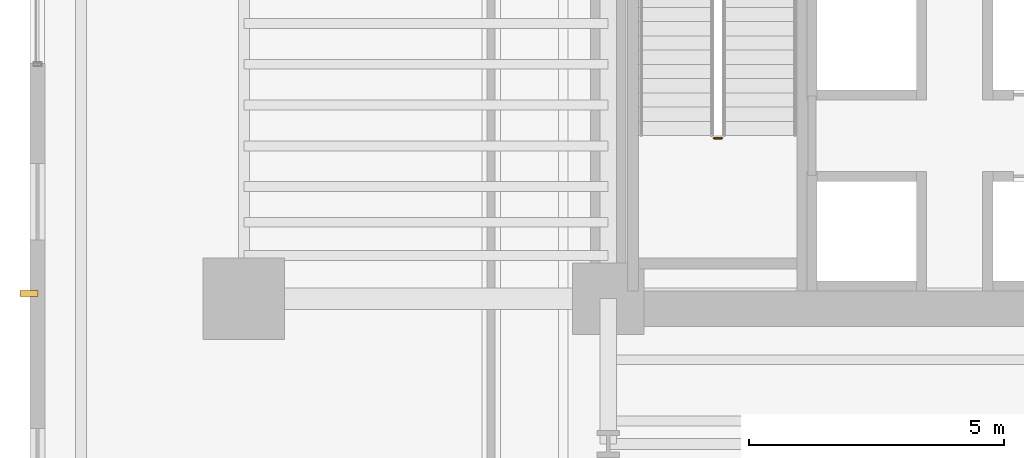
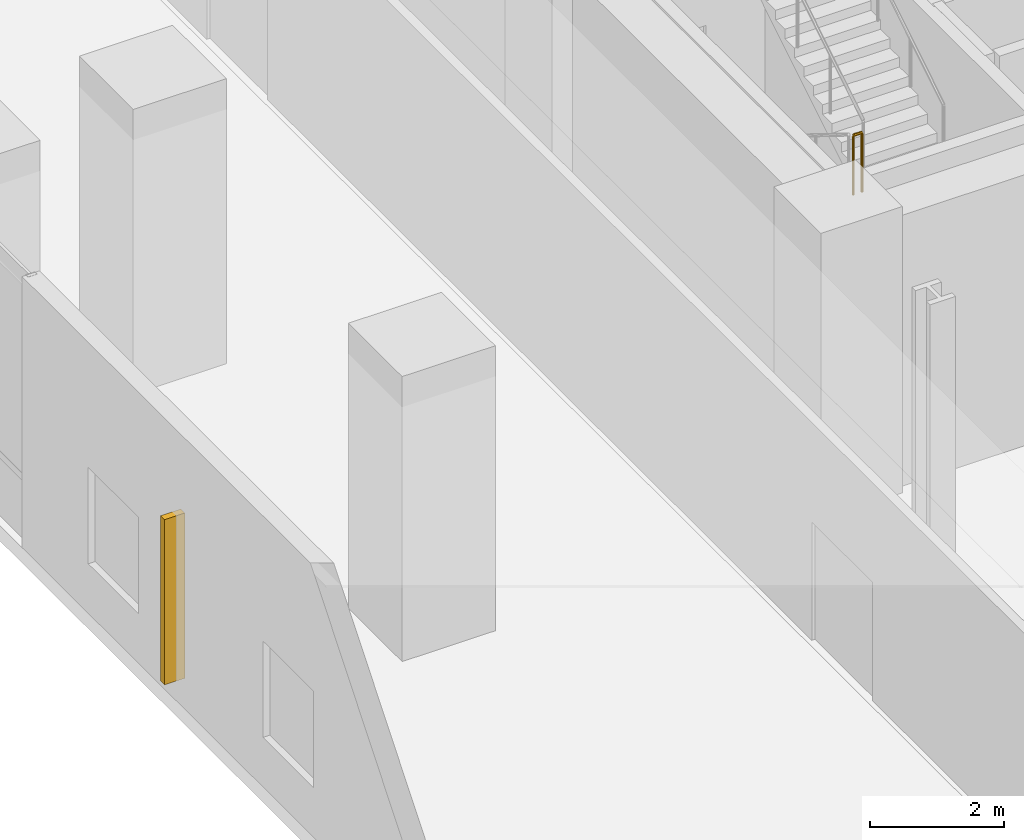
# One storey, part 31 of 39: 1 railing, 1 shading device.
"""IFC4 building model written with IfcOpenShell, lengths in metres."""

from ifc_helpers import new_model, si_unit, direction, frame, origin, origin_2d, place, context, subcontext, project, spatial, rectangle, circle, extrude, source, transform, mapped, material, type_object, element, save


model = new_model("IFC4")

# Units and contexts
model_context = context("Model", 3, precision=1e-05, world=origin(), true_north=direction((0.0, 1.0)))
body_context = subcontext(model_context, "Body", "Model", "MODEL_VIEW")
ifc_project = project(units=[si_unit("LENGTHUNIT", "METRE"), si_unit("AREAUNIT", "SQUARE_METRE"), si_unit("VOLUMEUNIT", "CUBIC_METRE"), si_unit("PLANEANGLEUNIT", "RADIAN"), si_unit("MASSUNIT", "GRAM", prefix="KILO")], contexts=[model_context])

# Site, building, storey
site_placement = place(None, origin())
site = spatial("IfcSite", under=ifc_project, at=site_placement, CompositionType="ELEMENT")
building_placement = place(site_placement, origin())
building = spatial("IfcBuilding", under=site, at=building_placement, Name="Valdorenza Pilgrim Sanctuary Tower", CompositionType="ELEMENT")
storey_placement = place(building_placement, frame((0.0, 0.0, 10.39990234375)))
storey = spatial("IfcBuildingStorey", under=building, at=storey_placement, Name="L02", CompositionType="ELEMENT", Elevation=10.39990234375)

# Railing
ifc_material_1 = material(Name="Stainless steel Grade 316", Category="steel")
railing_type = type_object("IfcRailingType", Name="RLG-GRD-1120", PredefinedType="GUARDRAIL", material=ifc_material_1)
railing_placement = place(storey_placement, frame((-20.570068359375, -7.449951171875, 2.60009765625)))
element("IfcRailing", 1, at=railing_placement, inside=storey, type_object=railing_type, Name="L02 ST-A2 stair guard 2", PredefinedType="GUARDRAIL", context=body_context, shape_type="SweptSolid", body=[
    extrude(circle(Radius=0.02392578125, at=origin_2d()), frame((0.0, 0.0, 1.076171875), z_axis=(1.0, 0.0, 0.0), x_axis=(0.0, 1.0, 0.0)), (0.0, 0.0, 1.0), 0.150146484375),
    extrude(circle(Radius=0.02099609375, at=origin_2d()), origin(), (0.0, 0.0, 1.0), 1.052001953125),
    extrude(circle(Radius=0.02099609375, at=origin_2d()), frame((0.150146484375, 0.0, 0.0)), (0.0, 0.0, 1.0), 1.052001953125),
])

# Shading device
ifc_material_2 = material(Name="Champagne anodised aluminium", Category="aluminium")
shading_device_type = type_object("IfcShadingDeviceType", Name="SHD-FIN-TRV", PredefinedType="SHUTTER", material=ifc_material_2)
shared_shape = source(origin(), body_context, "Body", "SweptSolid", [
    extrude(rectangle(XDim=0.35009765625, YDim=0.1201171875, at=origin_2d()), origin(), (0.0, 0.0, 1.0), 3.0),
])
shading_device_placement = place(storey_placement, frame((-34.02001953125, -10.5, 0.35009765625), z_axis=(0.0, 0.0, 1.0), x_axis=(1.0, 0.0, 0.0)))
element("IfcShadingDevice", 2, at=shading_device_placement, inside=storey, type_object=shading_device_type, Name="L02 West Solar Shading Fin 1", PredefinedType="SHUTTER", context=body_context, shape_type="MappedRepresentation", body=[
    mapped(shared_shape, transform((0.0, 0.0, 0.0), x_axis=(1.0, 0.0, 0.0), y_axis=(0.0, 1.0, 0.0), z_axis=(0.0, 0.0, 1.0), scale=1.0)),
])

save(model, "model.ifc")
